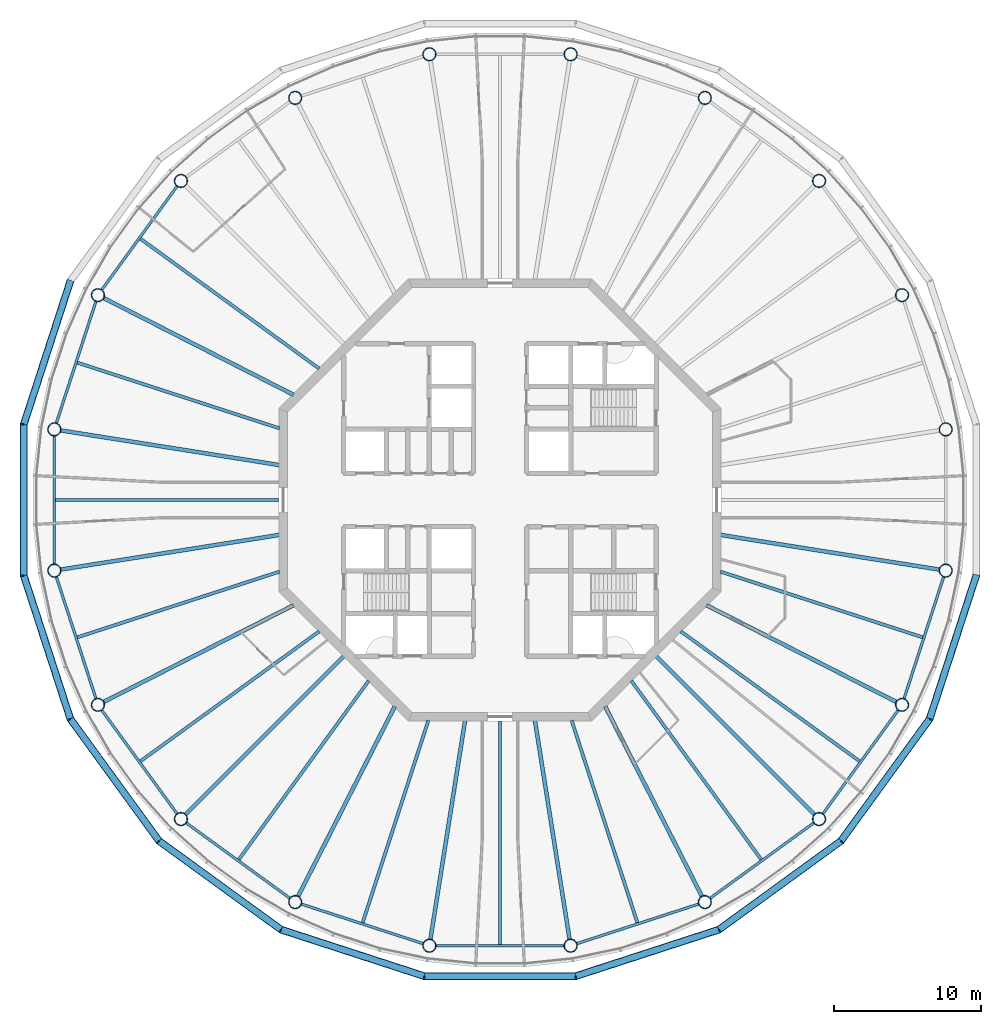
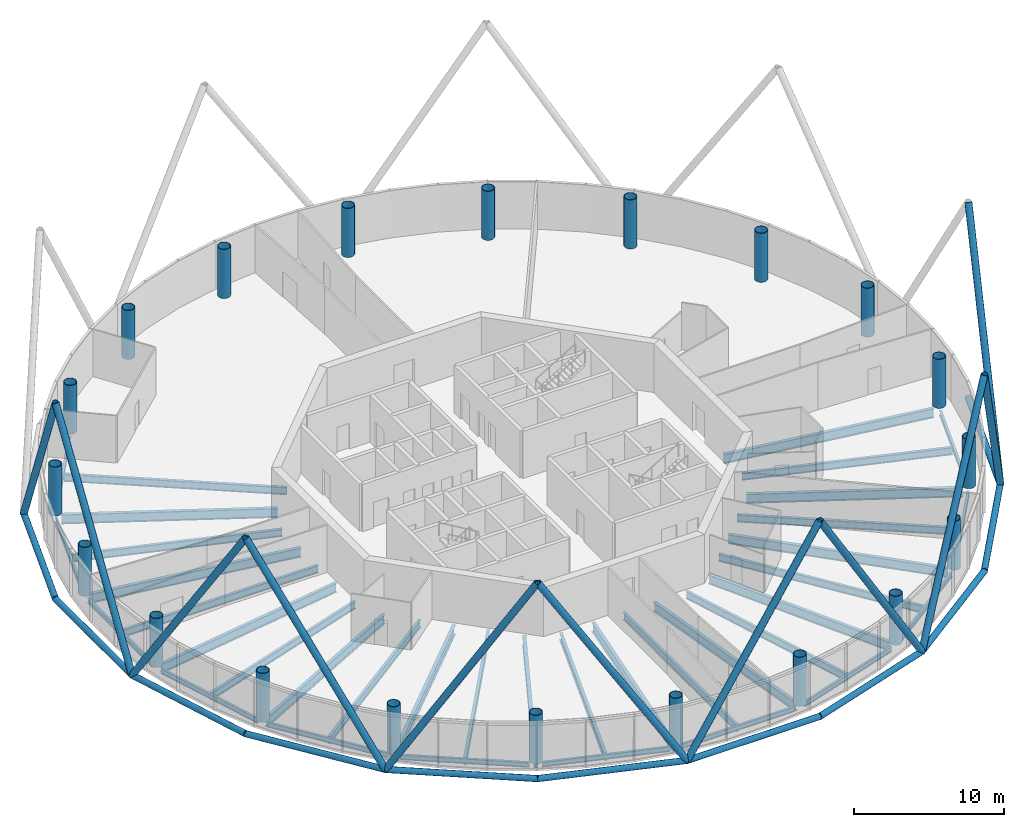
# One storey, part 1 of 13: 36 beams, 22 members, 20 columns.
"""IFC4 building model written with IfcOpenShell, lengths in metres."""

from ifc_helpers import new_model, si_unit, direction, frame, origin, origin_2d, place, context, subcontext, project, spatial, circle, hollow_circle, i_section, extrude, material, material_profile, profile_set, type_object, element, save


model = new_model("IFC4")

# Units and contexts
model_context = context("Model", 3, precision=1e-05, world=origin(), true_north=direction((0.0, 1.0)))
body_context = subcontext(model_context, "Body", "Model", "MODEL_VIEW")
ifc_project = project(units=[si_unit("LENGTHUNIT", "METRE"), si_unit("AREAUNIT", "SQUARE_METRE"), si_unit("VOLUMEUNIT", "CUBIC_METRE"), si_unit("PLANEANGLEUNIT", "RADIAN"), si_unit("MASSUNIT", "GRAM", prefix="KILO")], contexts=[model_context])

# Site, building, storey
site_placement = place(None, origin())
site = spatial("IfcSite", under=ifc_project, at=site_placement, CompositionType="ELEMENT")
building_placement = place(site_placement, origin())
building = spatial("IfcBuilding", under=site, at=building_placement, Name="Entoto Ring Tower", CompositionType="ELEMENT")
storey_placement = place(building_placement, frame((0.0, 0.0, 356.0)))
storey = spatial("IfcBuildingStorey", under=building, at=storey_placement, Name="L82", CompositionType="ELEMENT", Elevation=356.0)

# Columns
ifc_material_1 = material(Name="Steel S355", Category="steel")
ifc_material_profile_1 = material_profile(ifc_material_1, hollow_circle(Radius=0.449951171875, WallThickness=0.0400390625, at=origin_2d()), Name="CHS 900 x 40")
ifc_material_2 = material(Name="Concrete C60/75", Category="concrete")
ifc_material_profile_2 = material_profile(ifc_material_2, circle(Radius=0.409912109375, at=origin_2d()), Name="Concrete C60/75 infill")
ifc_profile_set_1 = profile_set([ifc_material_profile_1, ifc_material_profile_2], Name="Steel S355")
column_type = type_object("IfcColumnType", Name="Ring column 900 x 40 concrete-filled tube", PredefinedType="COLUMN", material=ifc_profile_set_1)
for number, where, z_axis, x_axis, name in (
    (1, (120.22314453125, 84.786865234375, 0.0), (0.0, 0.0, 1.0), (1.0, 0.0, 0.0), "RC6 R01"),
    (2, (117.264892578125, 93.89208984375, 0.0), (0.0, 0.0, 1.0), (1.0, 0.0, 0.0), "RC6 R02"),
    (3, (111.637451171875, 101.637451171875, 0.0), (0.0, 0.0, 1.0), (1.0, 0.0, 0.0), "RC6 R03"),
    (4, (103.89208984375, 107.264892578125, 0.0), (0.0, 0.0, 1.0), (1.0, 0.0, 0.0), "RC6 R04"),
    (5, (94.786865234375, 110.22314453125, 0.0), (0.0, 0.0, 1.0), (1.0, 0.0, 0.0), "RC6 R05"),
    (6, (85.213134765625, 110.22314453125, 0.0), (0.0, 0.0, 1.0), (1.0, 0.0, 0.0), "RC6 R06"),
    (7, (76.10791015625, 107.264892578125, 0.0), (0.0, 0.0, 1.0), (1.0, 0.0, 0.0), "RC6 R07"),
    (8, (68.362548828125, 101.637451171875, 0.0), (0.0, 0.0, 1.0), (1.0, 0.0, 0.0), "RC6 R08"),
    (9, (62.735107421875, 93.89208984375, 0.0), (0.0, 0.0, 1.0), (1.0, 0.0, 0.0), "RC6 R09"),
    (10, (59.77685546875, 84.786865234375, 0.0), (0.0, 0.0, 1.0), (1.0, 0.0, 0.0), "RC6 R10"),
    (11, (59.77685546875, 75.213134765625, 0.0), (0.0, 0.0, 1.0), (1.0, 0.0, 0.0), "RC6 R11"),
    (12, (62.735107421875, 66.10791015625, 0.0), (0.0, 0.0, 1.0), (1.0, 0.0, 0.0), "RC6 R12"),
    (13, (68.362548828125, 58.362548828125, 0.0), (0.0, 0.0, 1.0), (1.0, 0.0, 0.0), "RC6 R13"),
    (14, (76.10791015625, 52.735107421875, 0.0), (0.0, 0.0, 1.0), (1.0, 0.0, 0.0), "RC6 R14"),
    (15, (85.213134765625, 49.77685546875, 0.0), (0.0, 0.0, 1.0), (1.0, 0.0, 0.0), "RC6 R15"),
    (16, (94.786865234375, 49.77685546875, 0.0), (0.0, 0.0, 1.0), (1.0, 0.0, 0.0), "RC6 R16"),
    (17, (103.89208984375, 52.735107421875, 0.0), (0.0, 0.0, 1.0), (1.0, 0.0, 0.0), "RC6 R17"),
    (18, (111.637451171875, 58.362548828125, 0.0), (0.0, 0.0, 1.0), (1.0, 0.0, 0.0), "RC6 R18"),
    (19, (117.264892578125, 66.10791015625, 0.0), (0.0, 0.0, 1.0), (1.0, 0.0, 0.0), "RC6 R19"),
    (20, (120.22314453125, 75.213134765625, 0.0), (0.0, 0.0, 1.0), (1.0, 0.0, 0.0), "RC6 R20"),
):
    element("IfcColumn", number, at=place(storey_placement, frame(where, z_axis=z_axis, x_axis=x_axis)), inside=storey, type_object=column_type, Name=name, PredefinedType="COLUMN", context=body_context, shape_type="SweptSolid", body=[
        extrude(hollow_circle(Radius=0.449951171875, WallThickness=0.0400390625, at=origin_2d()), origin(), (0.0, 0.0, 1.0), 4.0),
    ])

# Members
ifc_material_3 = material(Name="Steel S355", Category="steel")
ifc_material_profile_3 = material_profile(ifc_material_3, hollow_circle(Radius=0.25390625, WallThickness=0.030029296875, at=origin_2d()), Name="CHS 508 x 30")
ifc_material_4 = material(Name="Concrete C60/75", Category="concrete")
ifc_material_profile_4 = material_profile(ifc_material_4, circle(Radius=0.22412109375, at=origin_2d()), Name="Concrete C60/75 infill")
ifc_profile_set_2 = profile_set([ifc_material_profile_3, ifc_material_profile_4], Name="Steel S355")
member_type_1 = type_object("IfcMemberType", Name="Diagrid diagonal 508 x 30 concrete-filled tube", PredefinedType="BRACE", material=ifc_profile_set_2)
member_1_placement = place(storey_placement, frame((60.864013671875, 94.845458984375, 0.0), z_axis=(-0.166465095802, -0.512340715739, 0.84249413225), x_axis=(0.95105896794, -0.309009448885, 0.0)))
element("IfcMember", 21, at=member_1_placement, inside=storey, type_object=member_type_1, Name="DG7 module 27 10", PredefinedType="BRACE", context=body_context, shape_type="SweptSolid", body=[
    extrude(hollow_circle(Radius=0.25390625, WallThickness=0.030029296875, at=origin_2d()), origin(), (0.0, 0.0, 1.0), 18.9912109375),
])
member_2_placement = place(storey_placement, frame((57.70263671875, 74.884521484375, 0.0), z_axis=(0.0, 0.538715853857, 0.84248752442), x_axis=(-1.0, 0.0, 0.0)))
element("IfcMember", 22, at=member_2_placement, inside=storey, type_object=member_type_1, Name="DG7 module 27 11", PredefinedType="BRACE", context=body_context, shape_type="SweptSolid", body=[
    extrude(hollow_circle(Radius=0.25390625, WallThickness=0.030029296875, at=origin_2d()), origin(), (0.0, 0.0, 1.0), 18.991455078125),
])
for number, where, z_axis, x_axis, name in (
    (23, (57.70263671875, 74.884521484375, 0.0), (0.166465095802, -0.512340715739, 0.84249413225), (0.95105896794, 0.309009448885, 0.0), "DG7 module 27 12"),
    (24, (66.877685546875, 56.877685546875, 0.0), (-0.316653552924, 0.435822862586, 0.842489738731), (-0.809008424404, -0.587797047665, 0.0), "DG7 module 27 13"),
    (25, (66.877685546875, 56.877685546875, 0.0), (0.435822862586, -0.316653552924, 0.842489738731), (0.587797047665, 0.809008424404, 0.0), "DG7 module 27 14"),
    (26, (84.884521484375, 47.70263671875, 0.0), (-0.512340715739, 0.166465095802, 0.84249413225), (-0.309009448885, -0.95105896794, 0.0), "DG7 module 27 15"),
):
    element("IfcMember", number, at=place(storey_placement, frame(where, z_axis=z_axis, x_axis=x_axis)), inside=storey, type_object=member_type_1, Name=name, PredefinedType="BRACE", context=body_context, shape_type="SweptSolid", body=[
        extrude(hollow_circle(Radius=0.25390625, WallThickness=0.030029296875, at=origin_2d()), origin(), (0.0, 0.0, 1.0), 18.9912109375),
    ])
member_3_placement = place(storey_placement, frame((84.884521484375, 47.70263671875, 0.0), z_axis=(0.538715853857, 0.0, 0.84248752442), x_axis=(0.0, 1.0, 0.0)))
element("IfcMember", 27, at=member_3_placement, inside=storey, type_object=member_type_1, Name="DG7 module 27 16", PredefinedType="BRACE", context=body_context, shape_type="SweptSolid", body=[
    extrude(hollow_circle(Radius=0.25390625, WallThickness=0.030029296875, at=origin_2d()), origin(), (0.0, 0.0, 1.0), 18.991455078125),
])
for number, where, z_axis, x_axis, name in (
    (28, (104.845458984375, 50.864013671875, 0.0), (-0.512340715739, -0.166465095802, 0.84249413225), (0.309009448885, -0.95105896794, 0.0), "DG7 module 27 17"),
    (29, (104.845458984375, 50.864013671875, 0.0), (0.435822862586, 0.316653552924, 0.842489738731), (-0.587797047665, 0.809008424404, 0.0), "DG7 module 27 18"),
    (30, (119.135986328125, 65.154541015625, 0.0), (-0.316653552924, -0.435822862586, 0.842489738731), (0.809008424404, -0.587797047665, 0.0), "DG7 module 27 19"),
    (31, (119.135986328125, 65.154541015625, 0.0), (0.166465095802, 0.512340715739, 0.84249413225), (-0.95105896794, 0.309009448885, 0.0), "DG7 module 27 20"),
):
    element("IfcMember", number, at=place(storey_placement, frame(where, z_axis=z_axis, x_axis=x_axis)), inside=storey, type_object=member_type_1, Name=name, PredefinedType="BRACE", context=body_context, shape_type="SweptSolid", body=[
        extrude(hollow_circle(Radius=0.25390625, WallThickness=0.030029296875, at=origin_2d()), origin(), (0.0, 0.0, 1.0), 18.9912109375),
    ])
ifc_material_5 = material(Name="Steel S355", Category="steel")
ifc_material_profile_5 = material_profile(ifc_material_5, hollow_circle(Radius=0.228515625, WallThickness=0.02001953125, at=origin_2d()), Name="CHS 457 x 20")
ifc_material_6 = material(Name="Concrete C60/75", Category="concrete")
ifc_material_profile_6 = material_profile(ifc_material_6, circle(Radius=0.20849609375, at=origin_2d()), Name="Concrete C60/75 infill")
ifc_profile_set_3 = profile_set([ifc_material_profile_5, ifc_material_profile_6], Name="Steel S355")
member_type_2 = type_object("IfcMemberType", Name="Diagrid ring beam 457 x 20", PredefinedType="CHORD", material=ifc_profile_set_3)
member_4_placement = place(storey_placement, frame((60.88134765625, 94.89892578125, 0.0), z_axis=(-0.309002809244, -0.951061125206, 0.0), x_axis=(0.951061125206, -0.309002809244, 0.0)))
element("IfcMember", 32, at=member_4_placement, inside=storey, type_object=member_type_2, Name="DR3 ring 26 09", PredefinedType="CHORD", context=body_context, shape_type="SweptSolid", body=[
    extrude(hollow_circle(Radius=0.228515625, WallThickness=0.02001953125, at=origin_2d()), origin(), (0.0, 0.0, 1.0), 10.343017578125),
])
member_5_placement = place(storey_placement, frame((57.70263671875, 85.171630859375, 0.0), z_axis=(0.0, -1.0, 0.0), x_axis=(1.0, 0.0, 0.0)))
element("IfcMember", 33, at=member_5_placement, inside=storey, type_object=member_type_2, Name="DR3 ring 26 10", PredefinedType="CHORD", context=body_context, shape_type="SweptSolid", body=[
    extrude(hollow_circle(Radius=0.228515625, WallThickness=0.02001953125, at=origin_2d()), origin(), (0.0, 0.0, 1.0), 10.34326171875),
])
member_6_placement = place(storey_placement, frame((57.685302734375, 74.93798828125, 0.0), z_axis=(0.309002809244, -0.951061125206, 0.0), x_axis=(0.951061125206, 0.309002809244, 0.0)))
element("IfcMember", 34, at=member_6_placement, inside=storey, type_object=member_type_2, Name="DR3 ring 26 11", PredefinedType="CHORD", context=body_context, shape_type="SweptSolid", body=[
    extrude(hollow_circle(Radius=0.228515625, WallThickness=0.02001953125, at=origin_2d()), origin(), (0.0, 0.0, 1.0), 10.343017578125),
])
for number, where, z_axis, x_axis, name in (
    (35, (60.8310546875, 65.199951171875, 0.0), (0.587781465034, -0.809019745966, 0.0), (0.809019745966, 0.587781465034, 0.0), "DR3 ring 26 12"),
    (36, (66.83203125, 56.91064453125, 0.0), (0.809019745966, -0.587781465034, 0.0), (0.587781465034, 0.809019745966, 0.0), "DR3 ring 26 13"),
):
    element("IfcMember", number, at=place(storey_placement, frame(where, z_axis=z_axis, x_axis=x_axis)), inside=storey, type_object=member_type_2, Name=name, PredefinedType="CHORD", context=body_context, shape_type="SweptSolid", body=[
        extrude(hollow_circle(Radius=0.228515625, WallThickness=0.02001953125, at=origin_2d()), origin(), (0.0, 0.0, 1.0), 10.34326171875),
    ])
member_7_placement = place(storey_placement, frame((75.10107421875, 50.88134765625, 0.0), z_axis=(0.951061125206, -0.309002809244, 0.0), x_axis=(0.309002809244, 0.951061125206, 0.0)))
element("IfcMember", 37, at=member_7_placement, inside=storey, type_object=member_type_2, Name="DR3 ring 26 14", PredefinedType="CHORD", context=body_context, shape_type="SweptSolid", body=[
    extrude(hollow_circle(Radius=0.228515625, WallThickness=0.02001953125, at=origin_2d()), origin(), (0.0, 0.0, 1.0), 10.343017578125),
])
member_8_placement = place(storey_placement, frame((84.828369140625, 47.70263671875, 0.0), z_axis=(1.0, 0.0, 0.0), x_axis=(0.0, 1.0, 0.0)))
element("IfcMember", 38, at=member_8_placement, inside=storey, type_object=member_type_2, Name="DR3 ring 26 15", PredefinedType="CHORD", context=body_context, shape_type="SweptSolid", body=[
    extrude(hollow_circle(Radius=0.228515625, WallThickness=0.02001953125, at=origin_2d()), origin(), (0.0, 0.0, 1.0), 10.34326171875),
])
member_9_placement = place(storey_placement, frame((95.06201171875, 47.685302734375, 0.0), z_axis=(0.951061125206, 0.309002809244, 0.0), x_axis=(-0.309002809244, 0.951061125206, 0.0)))
element("IfcMember", 39, at=member_9_placement, inside=storey, type_object=member_type_2, Name="DR3 ring 26 16", PredefinedType="CHORD", context=body_context, shape_type="SweptSolid", body=[
    extrude(hollow_circle(Radius=0.228515625, WallThickness=0.02001953125, at=origin_2d()), origin(), (0.0, 0.0, 1.0), 10.343017578125),
])
for number, where, z_axis, x_axis, name in (
    (40, (104.800048828125, 50.8310546875, 0.0), (0.809019745966, 0.587781465034, 0.0), (-0.587781465034, 0.809019745966, 0.0), "DR3 ring 26 17"),
    (41, (113.08935546875, 56.83203125, 0.0), (0.587781465034, 0.809019745966, 0.0), (-0.809019745966, 0.587781465034, 0.0), "DR3 ring 26 18"),
):
    element("IfcMember", number, at=place(storey_placement, frame(where, z_axis=z_axis, x_axis=x_axis)), inside=storey, type_object=member_type_2, Name=name, PredefinedType="CHORD", context=body_context, shape_type="SweptSolid", body=[
        extrude(hollow_circle(Radius=0.228515625, WallThickness=0.02001953125, at=origin_2d()), origin(), (0.0, 0.0, 1.0), 10.34326171875),
    ])
member_10_placement = place(storey_placement, frame((119.11865234375, 65.10107421875, 0.0), z_axis=(0.309002809244, 0.951061125206, 0.0), x_axis=(-0.951061125206, 0.309002809244, 0.0)))
element("IfcMember", 42, at=member_10_placement, inside=storey, type_object=member_type_2, Name="DR3 ring 26 19", PredefinedType="CHORD", context=body_context, shape_type="SweptSolid", body=[
    extrude(hollow_circle(Radius=0.228515625, WallThickness=0.02001953125, at=origin_2d()), origin(), (0.0, 0.0, 1.0), 10.343017578125),
])

# Beams
ifc_material_7 = material(Name="Steel S355", Category="steel")
ifc_material_profile_7 = material_profile(ifc_material_7, i_section(OverallWidth=0.179931640625, OverallDepth=0.39990234375, WebThickness=0.008544921875, FlangeThickness=0.013427734375, FilletRadius=0.02099609375, at=origin_2d()), Name="IPE 400")
ifc_profile_set_4 = profile_set([ifc_material_profile_7], Name="Steel S355")
beam_type_1 = type_object("IfcBeamType", Name="Edge beam IPE 400", PredefinedType="SPANDREL", material=ifc_profile_set_4)
beam_1_placement = place(storey_placement, frame((68.115234375, 101.296875, -0.35009765625), z_axis=(-0.587794254874, -0.80901045354, 0.0), x_axis=(0.80901045354, -0.587794254874, 0.0)))
element("IfcBeam", 43, at=beam_1_placement, inside=storey, type_object=beam_type_1, Name="Edge beam L82 08", PredefinedType="SPANDREL", context=body_context, shape_type="SweptSolid", body=[
    extrude(i_section(OverallWidth=0.179931640625, OverallDepth=0.39990234375, WebThickness=0.008544921875, FlangeThickness=0.013427734375, FilletRadius=0.02099609375, at=origin_2d()), origin(), (0.0, 0.0, 1.0), 8.73193359375),
])
beam_2_placement = place(storey_placement, frame((62.605224609375, 93.491943359375, -0.35009765625), z_axis=(-0.309030438368, -0.951052147972, 0.0), x_axis=(0.951052147972, -0.309030438368, 0.0)))
element("IfcBeam", 44, at=beam_2_placement, inside=storey, type_object=beam_type_1, Name="Edge beam L82 09", PredefinedType="SPANDREL", context=body_context, shape_type="SweptSolid", body=[
    extrude(i_section(OverallWidth=0.179931640625, OverallDepth=0.39990234375, WebThickness=0.008544921875, FlangeThickness=0.013427734375, FilletRadius=0.02099609375, at=origin_2d()), origin(), (0.0, 0.0, 1.0), 8.732177734375),
])
beam_3_placement = place(storey_placement, frame((59.77685546875, 84.365966796875, -0.35009765625), z_axis=(0.0, -1.0, 0.0), x_axis=(1.0, 0.0, 0.0)))
element("IfcBeam", 45, at=beam_3_placement, inside=storey, type_object=beam_type_1, Name="Edge beam L82 10", PredefinedType="SPANDREL", context=body_context, shape_type="SweptSolid", body=[
    extrude(i_section(OverallWidth=0.179931640625, OverallDepth=0.39990234375, WebThickness=0.008544921875, FlangeThickness=0.013427734375, FilletRadius=0.02099609375, at=origin_2d()), origin(), (0.0, 0.0, 1.0), 8.73193359375),
])
beam_4_placement = place(storey_placement, frame((59.90673828125, 74.812744140625, -0.35009765625), z_axis=(0.309030438368, -0.951052147972, 0.0), x_axis=(0.951052147972, 0.309030438368, 0.0)))
element("IfcBeam", 46, at=beam_4_placement, inside=storey, type_object=beam_type_1, Name="Edge beam L82 11", PredefinedType="SPANDREL", context=body_context, shape_type="SweptSolid", body=[
    extrude(i_section(OverallWidth=0.179931640625, OverallDepth=0.39990234375, WebThickness=0.008544921875, FlangeThickness=0.013427734375, FilletRadius=0.02099609375, at=origin_2d()), origin(), (0.0, 0.0, 1.0), 8.732177734375),
])
for number, where, z_axis, x_axis, name in (
    (47, (62.982666015625, 65.767333984375, -0.35009765625), (0.587794254874, -0.80901045354, 0.0), (0.80901045354, 0.587794254874, 0.0), "Edge beam L82 12"),
    (48, (68.703125, 58.115234375, -0.35009765625), (0.80901045354, -0.587794254874, 0.0), (0.587794254874, 0.80901045354, 0.0), "Edge beam L82 13"),
):
    element("IfcBeam", number, at=place(storey_placement, frame(where, z_axis=z_axis, x_axis=x_axis)), inside=storey, type_object=beam_type_1, Name=name, PredefinedType="SPANDREL", context=body_context, shape_type="SweptSolid", body=[
        extrude(i_section(OverallWidth=0.179931640625, OverallDepth=0.39990234375, WebThickness=0.008544921875, FlangeThickness=0.013427734375, FilletRadius=0.02099609375, at=origin_2d()), origin(), (0.0, 0.0, 1.0), 8.73193359375),
    ])
beam_5_placement = place(storey_placement, frame((76.508056640625, 52.605224609375, -0.35009765625), z_axis=(0.951052147972, -0.309030438368, 0.0), x_axis=(0.309030438368, 0.951052147972, 0.0)))
element("IfcBeam", 49, at=beam_5_placement, inside=storey, type_object=beam_type_1, Name="Edge beam L82 14", PredefinedType="SPANDREL", context=body_context, shape_type="SweptSolid", body=[
    extrude(i_section(OverallWidth=0.179931640625, OverallDepth=0.39990234375, WebThickness=0.008544921875, FlangeThickness=0.013427734375, FilletRadius=0.02099609375, at=origin_2d()), origin(), (0.0, 0.0, 1.0), 8.732177734375),
])
beam_6_placement = place(storey_placement, frame((85.634033203125, 49.77685546875, -0.35009765625), z_axis=(1.0, 0.0, 0.0), x_axis=(0.0, 1.0, 0.0)))
element("IfcBeam", 50, at=beam_6_placement, inside=storey, type_object=beam_type_1, Name="Edge beam L82 15", PredefinedType="SPANDREL", context=body_context, shape_type="SweptSolid", body=[
    extrude(i_section(OverallWidth=0.179931640625, OverallDepth=0.39990234375, WebThickness=0.008544921875, FlangeThickness=0.013427734375, FilletRadius=0.02099609375, at=origin_2d()), origin(), (0.0, 0.0, 1.0), 8.73193359375),
])
beam_7_placement = place(storey_placement, frame((95.187255859375, 49.90673828125, -0.35009765625), z_axis=(0.951052147972, 0.309030438368, 0.0), x_axis=(-0.309030438368, 0.951052147972, 0.0)))
element("IfcBeam", 51, at=beam_7_placement, inside=storey, type_object=beam_type_1, Name="Edge beam L82 16", PredefinedType="SPANDREL", context=body_context, shape_type="SweptSolid", body=[
    extrude(i_section(OverallWidth=0.179931640625, OverallDepth=0.39990234375, WebThickness=0.008544921875, FlangeThickness=0.013427734375, FilletRadius=0.02099609375, at=origin_2d()), origin(), (0.0, 0.0, 1.0), 8.732177734375),
])
for number, where, z_axis, x_axis, name in (
    (52, (104.232666015625, 52.982666015625, -0.35009765625), (0.80901045354, 0.587794254874, 0.0), (-0.587794254874, 0.80901045354, 0.0), "Edge beam L82 17"),
    (53, (111.884765625, 58.703125, -0.35009765625), (0.587794254874, 0.80901045354, 0.0), (-0.80901045354, 0.587794254874, 0.0), "Edge beam L82 18"),
):
    element("IfcBeam", number, at=place(storey_placement, frame(where, z_axis=z_axis, x_axis=x_axis)), inside=storey, type_object=beam_type_1, Name=name, PredefinedType="SPANDREL", context=body_context, shape_type="SweptSolid", body=[
        extrude(i_section(OverallWidth=0.179931640625, OverallDepth=0.39990234375, WebThickness=0.008544921875, FlangeThickness=0.013427734375, FilletRadius=0.02099609375, at=origin_2d()), origin(), (0.0, 0.0, 1.0), 8.73193359375),
    ])
beam_8_placement = place(storey_placement, frame((117.394775390625, 66.508056640625, -0.35009765625), z_axis=(0.309030438368, 0.951052147972, 0.0), x_axis=(-0.951052147972, 0.309030438368, 0.0)))
element("IfcBeam", 54, at=beam_8_placement, inside=storey, type_object=beam_type_1, Name="Edge beam L82 19", PredefinedType="SPANDREL", context=body_context, shape_type="SweptSolid", body=[
    extrude(i_section(OverallWidth=0.179931640625, OverallDepth=0.39990234375, WebThickness=0.008544921875, FlangeThickness=0.013427734375, FilletRadius=0.02099609375, at=origin_2d()), origin(), (0.0, 0.0, 1.0), 8.732177734375),
])
ifc_material_8 = material(Name="Steel S355", Category="steel")
ifc_material_profile_8 = material_profile(ifc_material_8, i_section(OverallWidth=0.262939453125, OverallDepth=0.7529296875, WebThickness=0.011474609375, FlangeThickness=0.01708984375, FilletRadius=0.01708984375, at=origin_2d()), Name="IPE 750 x 137")
ifc_profile_set_5 = profile_set([ifc_material_profile_8], Name="Steel S355")
beam_type_2 = type_object("IfcBeamType", Name="Primary floor beam IPE 750 x 137", PredefinedType="BEAM", material=ifc_profile_set_5)
beam_9_placement = place(storey_placement, frame((76.0029296875, 87.1318359375, -0.526611328125), z_axis=(-0.89100578373, 0.453991952968, 0.0), x_axis=(-0.453991952968, -0.89100578373, 0.0)))
element("IfcBeam", 55, at=beam_9_placement, inside=storey, type_object=beam_type_2, Name="Primary L82 R09", PredefinedType="BEAM", context=body_context, shape_type="SweptSolid", body=[
    extrude(i_section(OverallWidth=0.262939453125, OverallDepth=0.7529296875, WebThickness=0.011474609375, FlangeThickness=0.01708984375, FilletRadius=0.01708984375, at=origin_2d()), origin(), (0.0, 0.0, 1.0), 14.48046875),
])
for number, where, z_axis, x_axis, name in (
    (56, (75.040283203125, 82.369384765625, -0.526611328125), (-0.987688638122, 0.156432586517, 0.0), (-0.156432586517, -0.987688638122, 0.0), "Primary L82 R10"),
    (57, (75.040283203125, 77.630615234375, -0.526611328125), (-0.987688638122, -0.156432586517, 0.0), (0.156432586517, -0.987688638122, 0.0), "Primary L82 R11"),
):
    element("IfcBeam", number, at=place(storey_placement, frame(where, z_axis=z_axis, x_axis=x_axis)), inside=storey, type_object=beam_type_2, Name=name, PredefinedType="BEAM", context=body_context, shape_type="SweptSolid", body=[
        extrude(i_section(OverallWidth=0.262939453125, OverallDepth=0.7529296875, WebThickness=0.011474609375, FlangeThickness=0.01708984375, FilletRadius=0.01708984375, at=origin_2d()), origin(), (0.0, 0.0, 1.0), 15.04345703125),
    ])
beam_10_placement = place(storey_placement, frame((76.0029296875, 72.8681640625, -0.526611328125), z_axis=(-0.89100578373, -0.453991952968, 0.0), x_axis=(0.453991952968, -0.89100578373, 0.0)))
element("IfcBeam", 58, at=beam_10_placement, inside=storey, type_object=beam_type_2, Name="Primary L82 R12", PredefinedType="BEAM", context=body_context, shape_type="SweptSolid", body=[
    extrude(i_section(OverallWidth=0.262939453125, OverallDepth=0.7529296875, WebThickness=0.011474609375, FlangeThickness=0.01708984375, FilletRadius=0.01708984375, at=origin_2d()), origin(), (0.0, 0.0, 1.0), 14.48046875),
])
beam_11_placement = place(storey_placement, frame((79.407470703125, 69.407470703125, -0.526611328125), z_axis=(-0.707106781187, -0.707106781187, 0.0), x_axis=(0.707106781187, -0.707106781187, 0.0)))
element("IfcBeam", 59, at=beam_11_placement, inside=storey, type_object=beam_type_2, Name="Primary L82 R13", PredefinedType="BEAM", context=body_context, shape_type="SweptSolid", body=[
    extrude(i_section(OverallWidth=0.262939453125, OverallDepth=0.7529296875, WebThickness=0.011474609375, FlangeThickness=0.01708984375, FilletRadius=0.01708984375, at=origin_2d()), origin(), (0.0, 0.0, 1.0), 15.209716796875),
])
beam_12_placement = place(storey_placement, frame((82.8681640625, 66.0029296875, -0.526611328125), z_axis=(-0.453991952968, -0.89100578373, 0.0), x_axis=(0.89100578373, -0.453991952968, 0.0)))
element("IfcBeam", 60, at=beam_12_placement, inside=storey, type_object=beam_type_2, Name="Primary L82 R14", PredefinedType="BEAM", context=body_context, shape_type="SweptSolid", body=[
    extrude(i_section(OverallWidth=0.262939453125, OverallDepth=0.7529296875, WebThickness=0.011474609375, FlangeThickness=0.01708984375, FilletRadius=0.01708984375, at=origin_2d()), origin(), (0.0, 0.0, 1.0), 14.48046875),
])
for number, where, z_axis, x_axis, name in (
    (61, (87.630615234375, 65.040283203125, -0.526611328125), (-0.156432586517, -0.987688638122, 0.0), (0.987688638122, -0.156432586517, 0.0), "Primary L82 R15"),
    (62, (92.369384765625, 65.040283203125, -0.526611328125), (0.156432586517, -0.987688638122, 0.0), (0.987688638122, 0.156432586517, 0.0), "Primary L82 R16"),
):
    element("IfcBeam", number, at=place(storey_placement, frame(where, z_axis=z_axis, x_axis=x_axis)), inside=storey, type_object=beam_type_2, Name=name, PredefinedType="BEAM", context=body_context, shape_type="SweptSolid", body=[
        extrude(i_section(OverallWidth=0.262939453125, OverallDepth=0.7529296875, WebThickness=0.011474609375, FlangeThickness=0.01708984375, FilletRadius=0.01708984375, at=origin_2d()), origin(), (0.0, 0.0, 1.0), 15.04345703125),
    ])
beam_13_placement = place(storey_placement, frame((97.1318359375, 66.0029296875, -0.526611328125), z_axis=(0.453991952968, -0.89100578373, 0.0), x_axis=(0.89100578373, 0.453991952968, 0.0)))
element("IfcBeam", 63, at=beam_13_placement, inside=storey, type_object=beam_type_2, Name="Primary L82 R17", PredefinedType="BEAM", context=body_context, shape_type="SweptSolid", body=[
    extrude(i_section(OverallWidth=0.262939453125, OverallDepth=0.7529296875, WebThickness=0.011474609375, FlangeThickness=0.01708984375, FilletRadius=0.01708984375, at=origin_2d()), origin(), (0.0, 0.0, 1.0), 14.48046875),
])
beam_14_placement = place(storey_placement, frame((100.592529296875, 69.407470703125, -0.526611328125), z_axis=(0.707106781187, -0.707106781187, 0.0), x_axis=(0.707106781187, 0.707106781187, 0.0)))
element("IfcBeam", 64, at=beam_14_placement, inside=storey, type_object=beam_type_2, Name="Primary L82 R18", PredefinedType="BEAM", context=body_context, shape_type="SweptSolid", body=[
    extrude(i_section(OverallWidth=0.262939453125, OverallDepth=0.7529296875, WebThickness=0.011474609375, FlangeThickness=0.01708984375, FilletRadius=0.01708984375, at=origin_2d()), origin(), (0.0, 0.0, 1.0), 15.209716796875),
])
beam_15_placement = place(storey_placement, frame((103.9970703125, 72.8681640625, -0.526611328125), z_axis=(0.89100578373, -0.453991952968, 0.0), x_axis=(0.453991952968, 0.89100578373, 0.0)))
element("IfcBeam", 65, at=beam_15_placement, inside=storey, type_object=beam_type_2, Name="Primary L82 R19", PredefinedType="BEAM", context=body_context, shape_type="SweptSolid", body=[
    extrude(i_section(OverallWidth=0.262939453125, OverallDepth=0.7529296875, WebThickness=0.011474609375, FlangeThickness=0.01708984375, FilletRadius=0.01708984375, at=origin_2d()), origin(), (0.0, 0.0, 1.0), 14.48046875),
])
beam_16_placement = place(storey_placement, frame((104.959716796875, 77.630615234375, -0.526611328125), z_axis=(0.987688638122, -0.156432586517, 0.0), x_axis=(0.156432586517, 0.987688638122, 0.0)))
element("IfcBeam", 66, at=beam_16_placement, inside=storey, type_object=beam_type_2, Name="Primary L82 R20", PredefinedType="BEAM", context=body_context, shape_type="SweptSolid", body=[
    extrude(i_section(OverallWidth=0.262939453125, OverallDepth=0.7529296875, WebThickness=0.011474609375, FlangeThickness=0.01708984375, FilletRadius=0.01708984375, at=origin_2d()), origin(), (0.0, 0.0, 1.0), 15.04345703125),
])
ifc_material_9 = material(Name="Steel S355", Category="steel")
ifc_material_profile_9 = material_profile(ifc_material_9, i_section(OverallWidth=0.219970703125, OverallDepth=0.60009765625, WebThickness=0.011962890625, FlangeThickness=0.01904296875, FilletRadius=0.02392578125, at=origin_2d()), Name="IPE 600")
ifc_profile_set_6 = profile_set([ifc_material_profile_9], Name="Steel S355")
beam_type_3 = type_object("IfcBeamType", Name="Secondary floor beam IPE 600", PredefinedType="JOIST", material=ifc_profile_set_6)
beam_17_placement = place(storey_placement, frame((77.74365234375, 88.90478515625, -0.449951171875), z_axis=(-0.809019238239, 0.587782163866, 0.0), x_axis=(-0.587782163866, -0.809019238239, 0.0)))
element("IfcBeam", 67, at=beam_17_placement, inside=storey, type_object=beam_type_3, Name="Secondary beam L82 08", PredefinedType="JOIST", context=body_context, shape_type="SweptSolid", body=[
    extrude(i_section(OverallWidth=0.219970703125, OverallDepth=0.60009765625, WebThickness=0.011962890625, FlangeThickness=0.01904296875, FilletRadius=0.02392578125, at=origin_2d()), origin(), (0.0, 0.0, 1.0), 14.983642578125),
])
beam_18_placement = place(storey_placement, frame((75.052978515625, 84.856689453125, -0.449951171875), z_axis=(-0.951057212949, 0.309014850288, 0.0), x_axis=(-0.309014850288, -0.951057212949, 0.0)))
element("IfcBeam", 68, at=beam_18_placement, inside=storey, type_object=beam_type_3, Name="Secondary beam L82 09", PredefinedType="JOIST", context=body_context, shape_type="SweptSolid", body=[
    extrude(i_section(OverallWidth=0.219970703125, OverallDepth=0.60009765625, WebThickness=0.011962890625, FlangeThickness=0.01904296875, FilletRadius=0.02392578125, at=origin_2d()), origin(), (0.0, 0.0, 1.0), 14.4169921875),
])
beam_19_placement = place(storey_placement, frame((75.02001953125, 80.0, -0.449951171875), z_axis=(-1.0, 0.0, 0.0), x_axis=(0.0, -1.0, 0.0)))
element("IfcBeam", 69, at=beam_19_placement, inside=storey, type_object=beam_type_3, Name="Secondary beam L82 10", PredefinedType="JOIST", context=body_context, shape_type="SweptSolid", body=[
    extrude(i_section(OverallWidth=0.219970703125, OverallDepth=0.60009765625, WebThickness=0.011962890625, FlangeThickness=0.01904296875, FilletRadius=0.02392578125, at=origin_2d()), origin(), (0.0, 0.0, 1.0), 15.1533203125),
])
beam_20_placement = place(storey_placement, frame((75.052978515625, 75.143310546875, -0.449951171875), z_axis=(-0.951057212949, -0.309014850288, 0.0), x_axis=(0.309014850288, -0.951057212949, 0.0)))
element("IfcBeam", 70, at=beam_20_placement, inside=storey, type_object=beam_type_3, Name="Secondary beam L82 11", PredefinedType="JOIST", context=body_context, shape_type="SweptSolid", body=[
    extrude(i_section(OverallWidth=0.219970703125, OverallDepth=0.60009765625, WebThickness=0.011962890625, FlangeThickness=0.01904296875, FilletRadius=0.02392578125, at=origin_2d()), origin(), (0.0, 0.0, 1.0), 14.4169921875),
])
for number, where, z_axis, x_axis, name in (
    (71, (77.74365234375, 71.09521484375, -0.449951171875), (-0.809019238239, -0.587782163866, 0.0), (0.587782163866, -0.809019238239, 0.0), "Secondary beam L82 12"),
    (72, (81.09521484375, 67.74365234375, -0.449951171875), (-0.587782163866, -0.809019238239, 0.0), (0.809019238239, -0.587782163866, 0.0), "Secondary beam L82 13"),
):
    element("IfcBeam", number, at=place(storey_placement, frame(where, z_axis=z_axis, x_axis=x_axis)), inside=storey, type_object=beam_type_3, Name=name, PredefinedType="JOIST", context=body_context, shape_type="SweptSolid", body=[
        extrude(i_section(OverallWidth=0.219970703125, OverallDepth=0.60009765625, WebThickness=0.011962890625, FlangeThickness=0.01904296875, FilletRadius=0.02392578125, at=origin_2d()), origin(), (0.0, 0.0, 1.0), 14.983642578125),
    ])
beam_21_placement = place(storey_placement, frame((85.143310546875, 65.052978515625, -0.449951171875), z_axis=(-0.309014850288, -0.951057212949, 0.0), x_axis=(0.951057212949, -0.309014850288, 0.0)))
element("IfcBeam", 73, at=beam_21_placement, inside=storey, type_object=beam_type_3, Name="Secondary beam L82 14", PredefinedType="JOIST", context=body_context, shape_type="SweptSolid", body=[
    extrude(i_section(OverallWidth=0.219970703125, OverallDepth=0.60009765625, WebThickness=0.011962890625, FlangeThickness=0.01904296875, FilletRadius=0.02392578125, at=origin_2d()), origin(), (0.0, 0.0, 1.0), 14.4169921875),
])
beam_22_placement = place(storey_placement, frame((90.0, 65.02001953125, -0.449951171875), z_axis=(0.0, -1.0, 0.0), x_axis=(1.0, 0.0, 0.0)))
element("IfcBeam", 74, at=beam_22_placement, inside=storey, type_object=beam_type_3, Name="Secondary beam L82 15", PredefinedType="JOIST", context=body_context, shape_type="SweptSolid", body=[
    extrude(i_section(OverallWidth=0.219970703125, OverallDepth=0.60009765625, WebThickness=0.011962890625, FlangeThickness=0.01904296875, FilletRadius=0.02392578125, at=origin_2d()), origin(), (0.0, 0.0, 1.0), 15.1533203125),
])
beam_23_placement = place(storey_placement, frame((94.856689453125, 65.052978515625, -0.449951171875), z_axis=(0.309014850288, -0.951057212949, 0.0), x_axis=(0.951057212949, 0.309014850288, 0.0)))
element("IfcBeam", 75, at=beam_23_placement, inside=storey, type_object=beam_type_3, Name="Secondary beam L82 16", PredefinedType="JOIST", context=body_context, shape_type="SweptSolid", body=[
    extrude(i_section(OverallWidth=0.219970703125, OverallDepth=0.60009765625, WebThickness=0.011962890625, FlangeThickness=0.01904296875, FilletRadius=0.02392578125, at=origin_2d()), origin(), (0.0, 0.0, 1.0), 14.4169921875),
])
for number, where, z_axis, x_axis, name in (
    (76, (98.90478515625, 67.74365234375, -0.449951171875), (0.587782163866, -0.809019238239, 0.0), (0.809019238239, 0.587782163866, 0.0), "Secondary beam L82 17"),
    (77, (102.25634765625, 71.09521484375, -0.449951171875), (0.809019238239, -0.587782163866, 0.0), (0.587782163866, 0.809019238239, 0.0), "Secondary beam L82 18"),
):
    element("IfcBeam", number, at=place(storey_placement, frame(where, z_axis=z_axis, x_axis=x_axis)), inside=storey, type_object=beam_type_3, Name=name, PredefinedType="JOIST", context=body_context, shape_type="SweptSolid", body=[
        extrude(i_section(OverallWidth=0.219970703125, OverallDepth=0.60009765625, WebThickness=0.011962890625, FlangeThickness=0.01904296875, FilletRadius=0.02392578125, at=origin_2d()), origin(), (0.0, 0.0, 1.0), 14.983642578125),
    ])
beam_24_placement = place(storey_placement, frame((104.947021484375, 75.143310546875, -0.449951171875), z_axis=(0.951057212949, -0.309014850288, 0.0), x_axis=(0.309014850288, 0.951057212949, 0.0)))
element("IfcBeam", 78, at=beam_24_placement, inside=storey, type_object=beam_type_3, Name="Secondary beam L82 19", PredefinedType="JOIST", context=body_context, shape_type="SweptSolid", body=[
    extrude(i_section(OverallWidth=0.219970703125, OverallDepth=0.60009765625, WebThickness=0.011962890625, FlangeThickness=0.01904296875, FilletRadius=0.02392578125, at=origin_2d()), origin(), (0.0, 0.0, 1.0), 14.4169921875),
])

save(model, "model.ifc")
